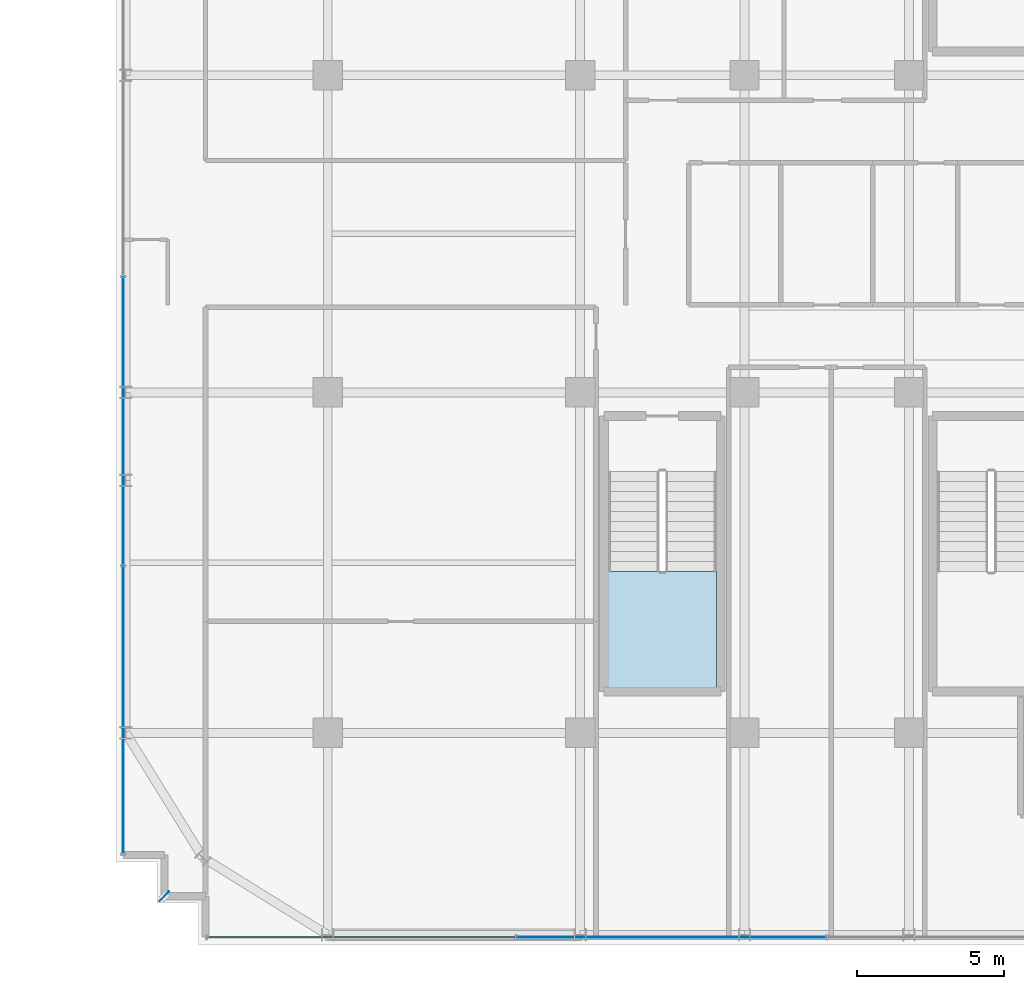
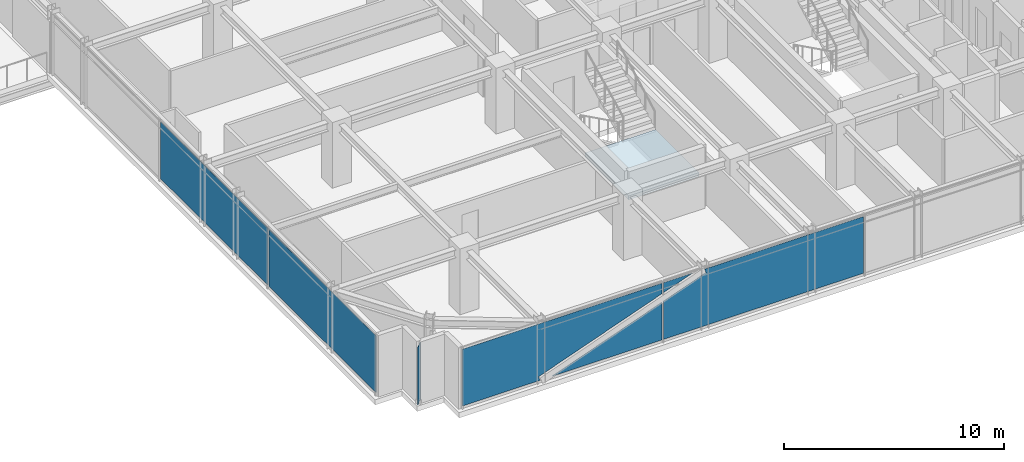
# One storey, part 28 of 41: 5 plates, 1 slab, 3 elements without a shape of their own.
"""IFC4 building model written with IfcOpenShell, lengths in metres."""

from ifc_helpers import new_model, si_unit, direction, frame, origin, origin_2d, place, context, subcontext, project, spatial, polyline, rectangle, outline, extrude, source, transform, mapped, material, layer, layer_set, type_object, element, aggregate, save


model = new_model("IFC4")

# Units and contexts
model_context = context("Model", 3, precision=1e-05, world=origin(), true_north=direction((0.0, 1.0)))
body_context = subcontext(model_context, "Body", "Model", "MODEL_VIEW")
ifc_project = project(units=[si_unit("LENGTHUNIT", "METRE"), si_unit("AREAUNIT", "SQUARE_METRE"), si_unit("VOLUMEUNIT", "CUBIC_METRE"), si_unit("PLANEANGLEUNIT", "RADIAN"), si_unit("MASSUNIT", "GRAM", prefix="KILO")], contexts=[model_context])

# Site, building, storey
site_placement = place(None, origin())
site = spatial("IfcSite", under=ifc_project, at=site_placement, CompositionType="ELEMENT")
building_placement = place(site_placement, origin())
building = spatial("IfcBuilding", under=site, at=building_placement, Name="Nahalor Promenade Grand Hotel", CompositionType="ELEMENT")
storey_placement = place(building_placement, frame((0.0, 0.0, 227.10009765625)))
storey = spatial("IfcBuildingStorey", under=building, at=storey_placement, Name="L58", CompositionType="ELEMENT", Elevation=227.10009765625)

# Curtain wall, plates
ifc_material_1 = material(Name="Anodised Bronze Aluminium EN AW-6063 T6", Category="aluminium")
curtain_wall_type = type_object("IfcCurtainWallType", Name="CW2 Typical Hotel Flush Bronze Unitised Curtain Wall", PredefinedType="USERDEFINED", material=ifc_material_1)
curtain_wall_1_placement = place(storey_placement, origin())
curtain_wall_1 = element("IfcCurtainWall", 1, at=curtain_wall_1_placement, inside=storey, type_object=curtain_wall_type, Name="L58 Curtain Wall CW-L58-S-1", ObjectType="UNITISED_CURTAIN_WALL", PredefinedType="USERDEFINED")
ifc_material_2 = material(Name="Low-E Laminated Solar Glass", Category="glass")
ifc_layer_1 = layer(ifc_material_2, 0.028076171875)
ifc_layer_set_1 = layer_set([ifc_layer_1], Name="Low-E Laminated Solar Glass")
plate_type_1 = type_object("IfcPlateType", Name="CWP2 Bronze Low-E Vision IGU 28mm", PredefinedType="CURTAIN_PANEL", material=ifc_layer_set_1)
plate_1_placement = place(storey_placement, frame((-15.853759765625, -23.9599609375, 0.1298828125), z_axis=(0.0, 0.0, 1.0), x_axis=(1.0, 0.0, 0.0)))
plate_1 = element("IfcPlate", 2, at=plate_1_placement, type_object=plate_type_1, Name="CW-L58-S-1 Glazing Panel 0-0", PredefinedType="CURTAIN_PANEL", context=body_context, shape_type="SweptSolid", body=[
    extrude(outline(polyline([(-5.2412109375, 3.14990234375), (-5.2412109375, 0.0), (-1.16552734375, 0.0), (-1.246337890625, 0.22314453125), (5.2412109375, 2.569091796875), (5.2412109375, 3.14990234375), (-5.2412109375, 3.14990234375)])), frame((0.0, 0.01416015625, 0.0), z_axis=(0.0, -1.0, 0.0), x_axis=(1.0, 0.0, 0.0)), (0.0, 0.0, 1.0), 0.028076171875),
    extrude(outline(polyline([(-0.5400390625, 0.0), (5.2412109375, 0.0), (5.2412109375, 2.090576171875), (-0.5400390625, 0.0)])), frame((0.0, 0.01416015625, 0.0), z_axis=(0.0, -1.0, 0.0), x_axis=(1.0, 0.0, 0.0)), (0.0, 0.0, 1.0), 0.028076171875),
])
plate_2_placement = place(storey_placement, frame((-5.2900390625, -23.9599609375, 0.1298828125), z_axis=(0.0, 0.0, 1.0), x_axis=(1.0, 0.0, 0.0)))
plate_2 = element("IfcPlate", 3, at=plate_2_placement, type_object=plate_type_1, Name="CW-L58-S-1 Glazing Panel 1-0", PredefinedType="CURTAIN_PANEL", context=body_context, shape_type="SweptSolid", body=[
    extrude(outline(polyline([(5.257568359375, 0.0), (5.257568359375, 3.14990234375), (-3.090576171875, 3.14990234375), (-3.010009765625, 2.927001953125), (-5.257568359375, 2.1142578125), (-5.257568359375, 0.0), (5.257568359375, 0.0)])), frame((0.0, 0.01416015625, 0.0), z_axis=(0.0, -1.0, 0.0), x_axis=(1.0, 0.0, 0.0)), (0.0, 0.0, 1.0), 0.028076171875),
    extrude(outline(polyline([(-3.71630859375, 3.14990234375), (-5.257568359375, 3.14990234375), (-5.257568359375, 2.5927734375), (-3.71630859375, 3.14990234375)])), frame((0.0, 0.01416015625, 0.0), z_axis=(0.0, -1.0, 0.0), x_axis=(1.0, 0.0, 0.0)), (0.0, 0.0, 1.0), 0.028076171875),
])
aggregate(curtain_wall_1, [plate_1, plate_2])

# Stair, slab
ifc_material_3 = material(Name="Concrete B-50 (C40/50)", Category="concrete")
stair_type = type_object("IfcStairType", Name="Stair-ST3", PredefinedType="HALF_TURN_STAIR", material=ifc_material_3)
stair_placement = place(storey_placement, origin())
stair = element("IfcStair", 4, at=stair_placement, inside=storey, type_object=stair_type, Name="L58 ST3", PredefinedType="HALF_TURN_STAIR")
ifc_layer_2 = layer(ifc_material_3, 0.219970703125)
ifc_layer_set_2 = layer_set([ifc_layer_2], Name="Concrete B-50 (C40/50)")
slab_type = type_object("IfcSlabType", Name="Landing-ST3", PredefinedType="LANDING", material=ifc_layer_set_2)
slab_placement = place(storey_placement, frame((0.0, 0.0, 1.6298828125)))
slab = element("IfcSlab", 5, at=slab_placement, type_object=slab_type, Name="ST3 landing 1", PredefinedType="LANDING", context=body_context, shape_type="SweptSolid", body=[
    extrude(outline(polyline([(-7.449951171875, -11.5), (-7.449951171875, -15.449951171875), (-3.75, -15.449951171875), (-3.75, -11.5), (-7.449951171875, -11.5)])), origin(), (0.0, 0.0, 1.0), 0.219970703125),
])
aggregate(stair, [slab])

# Plate
ifc_layer_3 = layer(ifc_material_1, 0.02001953125)
ifc_layer_set_3 = layer_set([ifc_layer_3], Name="Anodised Bronze Aluminium EN AW-6063 T6")
plate_type_2 = type_object("IfcPlateType", Name="Plate-CornerFin-20", PredefinedType="SHEET", material=ifc_layer_set_3)
shared_shape_1 = source(origin(), body_context, "Body", "SweptSolid", [
    extrude(rectangle(XDim=0.449951171875, YDim=0.02001953125, at=origin_2d()), origin(), (0.0, 0.0, 1.0), 3.199951171875),
])
plate_3_placement = place(storey_placement, frame((-22.56005859375, -22.56005859375, 0.0), z_axis=(0.0, 0.0, 1.0), x_axis=(0.707106781187, 0.707106781187, 0.0)))
element("IfcPlate", 6, at=plate_3_placement, inside=storey, type_object=plate_type_2, Name="FIN-L58-SW", PredefinedType="SHEET", context=body_context, shape_type="MappedRepresentation", body=[
    mapped(shared_shape_1, transform((0.0, 0.0, 0.0), scale=1.0)),
])

# Curtain wall, plates
curtain_wall_2_placement = place(storey_placement, origin())
curtain_wall_2 = element("IfcCurtainWall", 7, at=curtain_wall_2_placement, inside=storey, type_object=curtain_wall_type, Name="L58 Curtain Wall CW-L58-W-1", ObjectType="UNITISED_CURTAIN_WALL", PredefinedType="USERDEFINED")
shared_shape_2 = source(origin(), body_context, "Body", "SweptSolid", [
    extrude(rectangle(XDim=9.755859375, YDim=0.028076171875, at=origin_2d()), origin(), (0.0, 0.0, 1.0), 3.14990234375),
])
plate_4_placement = place(storey_placement, frame((-23.9599609375, -16.217041015625, 0.1298828125), z_axis=(0.0, 0.0, 1.0), x_axis=(0.0, 1.0, 0.0)))
plate_4 = element("IfcPlate", 8, at=plate_4_placement, type_object=plate_type_1, Name="CW-L58-W-1 Glazing Panel 0-0", PredefinedType="CURTAIN_PANEL", context=body_context, shape_type="MappedRepresentation", body=[
    mapped(shared_shape_2, transform((0.0, 0.0, 0.0), scale=1.0)),
])
shared_shape_3 = source(origin(), body_context, "Body", "SweptSolid", [
    extrude(rectangle(XDim=9.788330078125, YDim=0.028076171875, at=origin_2d()), origin(), (0.0, 0.0, 1.0), 3.14990234375),
])
plate_5_placement = place(storey_placement, frame((-23.9599609375, -6.3798828125, 0.1298828125), z_axis=(0.0, 0.0, 1.0), x_axis=(0.0, 1.0, 0.0)))
plate_5 = element("IfcPlate", 9, at=plate_5_placement, type_object=plate_type_1, Name="CW-L58-W-1 Glazing Panel 1-0", PredefinedType="CURTAIN_PANEL", context=body_context, shape_type="MappedRepresentation", body=[
    mapped(shared_shape_3, transform((0.0, 0.0, 0.0), scale=1.0)),
])
aggregate(curtain_wall_2, [plate_4, plate_5])

save(model, "model.ifc")
